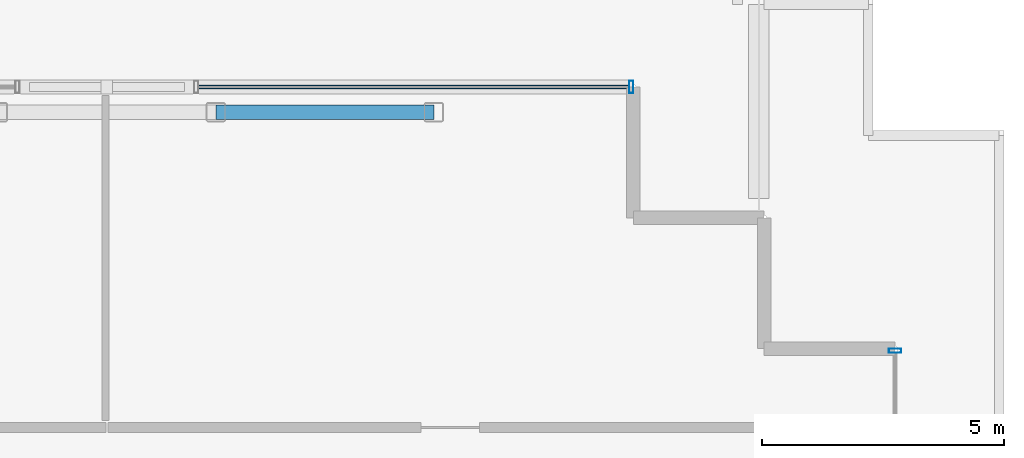
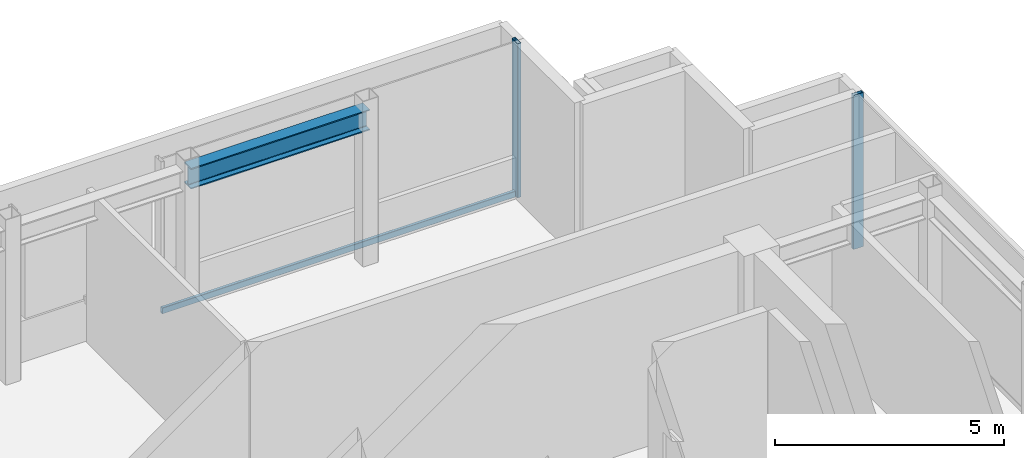
# One storey, part 7 of 14: 3 members, 1 beam, 2 elements without a shape of their own.
"""IFC4 building model written with IfcOpenShell, lengths in metres."""

import ifcopenshell
import ifcopenshell.guid

model = None  # the IFC model being written
_history = None  # IfcOwnerHistory: only IFC2X3 demands one
_inside = {}  # id of a spatial element -> (the spatial element, [elements in it])
_under = {}  # id of a project, library or spatial element -> (it, [spatial elements below it])
_declared = {}  # id of a project -> (the project, [libraries it declares])
_typed = {}  # id of a type object -> (the type object, [elements of that type])
_made_of = {}  # id of a material, layer set ... -> (it, [elements and type objects made of it])


def new_model(schema):
    """Start an empty IFC model of exactly this schema.

    Asked for "IFC4X3", IfcOpenShell would pick the latest addendum, in which some entities
    have other attributes; the version numbers below select the first issue.
    IFC2X3 requires an IfcOwnerHistory on every rooted entity: one is made here for all.
    """
    global model, _history
    if schema == "IFC4X3":
        model = ifcopenshell.file(schema_version=(4, 3, 0, 0))
    else:
        model = ifcopenshell.file(schema=schema)
    _inside.clear()
    _under.clear()
    _declared.clear()
    _typed.clear()
    _made_of.clear()
    _history = None
    if model.schema == "IFC2X3":
        org = make("IfcOrganization", Name="unknown")
        user = make(
            "IfcPersonAndOrganization",
            ThePerson=make("IfcPerson", FamilyName="unknown"),
            TheOrganization=org,
        )
        app = make(
            "IfcApplication",
            ApplicationDeveloper=org,
            Version="unknown",
            ApplicationFullName="unknown",
            ApplicationIdentifier="unknown",
        )
        _history = make(
            "IfcOwnerHistory",
            OwningUser=user,
            OwningApplication=app,
            ChangeAction="ADDED",
            CreationDate=0,
        )
    return model


def make(cls, **values):
    """One entity of the class cls with the attributes given. An attribute that is None is left unset."""
    return model.create_entity(
        cls, **{name: value for name, value in values.items() if value is not None}
    )


def rooted(cls, **values):
    """An entity with a GlobalId (a new one), such as an element, a storey or a relation."""
    return make(cls, GlobalId=ifcopenshell.guid.new(), OwnerHistory=_history, **values)


def si_unit(unit_type, name, prefix=None):
    """IfcSIUnit, for example si_unit("LENGTHUNIT", "METRE", prefix="MILLI")."""
    return make("IfcSIUnit", UnitType=unit_type, Prefix=prefix, Name=name)


def assignment(units):
    """IfcUnitAssignment: the units of a project."""
    return None if units is None else make("IfcUnitAssignment", Units=units)


def point(xyz):
    """IfcCartesianPoint."""
    return None if xyz is None else make("IfcCartesianPoint", Coordinates=xyz)


def direction(xyz):
    """IfcDirection."""
    return None if xyz is None else make("IfcDirection", DirectionRatios=xyz)


def frame(location, z_axis=None, x_axis=None):
    """IfcAxis2Placement3D, a coordinate frame: its origin and axes. An axis left out is left unset."""
    return make(
        "IfcAxis2Placement3D",
        Location=point(location),
        Axis=direction(z_axis),
        RefDirection=direction(x_axis),
    )


def frame_2d(location, x_axis=None):
    """IfcAxis2Placement2D, a coordinate frame in the plane: its origin and x axis."""
    return make(
        "IfcAxis2Placement2D", Location=point(location), RefDirection=direction(x_axis)
    )


def origin():
    """The frame at (0, 0, 0) with its axes left unset."""
    return frame((0.0, 0.0, 0.0))


def origin_2d():
    """The frame at (0, 0) in the plane with its x axis left unset."""
    return frame_2d((0.0, 0.0))


def place(relative_to, where):
    """IfcLocalPlacement: puts the frame where relative to a parent placement (None: the world)."""
    return make(
        "IfcLocalPlacement", PlacementRelTo=relative_to, RelativePlacement=where
    )


def context(
    kind, dimensions, precision=None, world=None, true_north=None, identifier=None
):
    """IfcGeometricRepresentationContext, for example the 3D "Model" context."""
    return make(
        "IfcGeometricRepresentationContext",
        ContextIdentifier=identifier,
        ContextType=kind,
        CoordinateSpaceDimension=dimensions,
        Precision=precision,
        WorldCoordinateSystem=world,
        TrueNorth=true_north,
    )


def subcontext(parent, identifier, kind, view, scale=None):
    """IfcGeometricRepresentationSubContext, for example "Body" below "Model"."""
    return make(
        "IfcGeometricRepresentationSubContext",
        ContextIdentifier=identifier,
        ContextType=kind,
        ParentContext=parent,
        TargetScale=scale,
        TargetView=view,
    )


def project(units=None, contexts=None):
    """IfcProject with its units and contexts."""
    return rooted(
        "IfcProject",
        Name="project",
        RepresentationContexts=contexts,
        UnitsInContext=assignment(units),
    )


def spatial(cls, under=None, at=None, **own):
    """A site, building, storey or space (cls), placed at a placement, below another one or the project."""
    s = rooted(cls, ObjectPlacement=at, **own)
    if under is not None:
        _under.setdefault(under.id(), (under, []))[1].append(s)
    return s


def profile(cls, at=None, kind="AREA", **sizes):
    """A parametric profile (cls). Its sizes go by their IFC names, for example OverallWidth=200.0."""
    return make(cls, ProfileType=kind, Position=at, **sizes)


def hollow_rectangle(**sizes):
    """IfcRectangleHollowProfileDef."""
    return profile("IfcRectangleHollowProfileDef", **sizes)


def i_section(**sizes):
    """IfcIShapeProfileDef."""
    return profile("IfcIShapeProfileDef", **sizes)


def extrude(swept, where, along, depth):
    """IfcExtrudedAreaSolid: the profile swept, set in the frame where, extruded along a direction by depth."""
    return make(
        "IfcExtrudedAreaSolid",
        SweptArea=swept,
        Position=where,
        ExtrudedDirection=direction(along),
        Depth=depth,
    )


def shape(context_of_items, identifier, shape_type, items):
    """IfcShapeRepresentation: the items that make up one representation, for example the "Body"."""
    return make(
        "IfcShapeRepresentation",
        ContextOfItems=context_of_items,
        RepresentationIdentifier=identifier,
        RepresentationType=shape_type,
        Items=items,
    )


def source(mapping_origin, context_of_items, identifier, shape_type, items):
    """IfcRepresentationMap: a shape defined once, which mapped items show again and again."""
    return make(
        "IfcRepresentationMap",
        MappingOrigin=mapping_origin,
        MappedRepresentation=shape(context_of_items, identifier, shape_type, items),
    )


def transform(
    local_origin,
    x_axis=None,
    y_axis=None,
    z_axis=None,
    scale=None,
    scale2=None,
    scale3=None,
    uniform=True,
):
    """IfcCartesianTransformationOperator3D, or its non-uniform kind. x_axis, y_axis, z_axis: its Axis1, 2, 3."""
    if uniform:
        return make(
            "IfcCartesianTransformationOperator3D",
            Axis1=direction(x_axis),
            Axis2=direction(y_axis),
            LocalOrigin=point(local_origin),
            Scale=scale,
            Axis3=direction(z_axis),
        )
    return make(
        "IfcCartesianTransformationOperator3DnonUniform",
        Axis1=direction(x_axis),
        Axis2=direction(y_axis),
        LocalOrigin=point(local_origin),
        Scale=scale,
        Axis3=direction(z_axis),
        Scale2=scale2,
        Scale3=scale3,
    )


def mapped(mapping_source, mapping_target):
    """IfcMappedItem: shows the shape of a source again, moved by a transform."""
    return make(
        "IfcMappedItem", MappingSource=mapping_source, MappingTarget=mapping_target
    )


def material(Name=None, Category=None):
    """IfcMaterial."""
    return make("IfcMaterial", Name=Name, Category=Category)


def layer(
    of_material, thickness, ventilated=None, Name=None, Category=None, Priority=None
):
    """IfcMaterialLayer: one layer of a wall or slab, of a material (None: an air gap)."""
    return make(
        "IfcMaterialLayer",
        Material=of_material,
        LayerThickness=thickness,
        IsVentilated=ventilated,
        Name=Name,
        Category=Category,
        Priority=Priority,
    )


def layer_set(layers, Name=None):
    """IfcMaterialLayerSet."""
    return make("IfcMaterialLayerSet", MaterialLayers=layers, LayerSetName=Name)


def material_profile(
    of_material, cross_section, Name=None, Category=None, Priority=None
):
    """IfcMaterialProfile: a cross section and its material."""
    return make(
        "IfcMaterialProfile",
        Name=Name,
        Material=of_material,
        Profile=cross_section,
        Priority=Priority,
        Category=Category,
    )


def profile_set(profiles, Name=None, composite=None):
    """IfcMaterialProfileSet."""
    return make(
        "IfcMaterialProfileSet",
        Name=Name,
        MaterialProfiles=profiles,
        CompositeProfile=composite,
    )


def made_of(thing, what):
    """Note that an element or type object is made of a material, layer set ...; save() writes the relation."""
    if what is not None:
        _made_of.setdefault(what.id(), (what, []))[1].append(thing)
    return thing


def type_object(cls, material=None, **own):
    """A type object (cls), such as IfcWallType, which elements share."""
    return made_of(rooted(cls, **own), material)


def element(
    cls,
    number,
    at=None,
    inside=None,
    cuts=None,
    type_object=None,
    material=None,
    context=None,
    identifier="Body",
    shape_type=None,
    held_by="IfcProductDefinitionShape",
    body=None,
    shapes=None,
    **own,
):
    """One element of the class cls, such as IfcWall. Its Tag is "e" and its number.

    at: its placement. inside: the storey or other place that contains it. cuts: it is an
    opening in that element (IfcRelVoidsElement). A single representation is given by context,
    identifier, shape_type and body (its items); several are given by shapes. held_by: the class
    of the entity that holds the representations. save() writes the other relations.
    """
    e = rooted(cls, Tag="e%d" % number, ObjectPlacement=at, **own)
    if body is not None:
        shapes = [shape(context, identifier, shape_type, body)]
    if shapes is not None:
        e.Representation = make(held_by, Representations=shapes)
    if inside is not None:
        _inside.setdefault(inside.id(), (inside, []))[1].append(e)
    if cuts is not None:
        rooted(
            "IfcRelVoidsElement", RelatingBuildingElement=cuts, RelatedOpeningElement=e
        )
    if type_object is not None:
        _typed.setdefault(type_object.id(), (type_object, []))[1].append(e)
    return made_of(e, material)


def aggregate(whole, parts):
    """IfcRelAggregates: a whole, such as a stair, and the parts it consists of."""
    return rooted("IfcRelAggregates", RelatingObject=whole, RelatedObjects=parts)


def save(model, path):
    """Write the relations noted so far, then the file.

    IfcRelAggregates (storeys below a building ...), IfcRelContainedInSpatialStructure (elements
    in a storey), IfcRelDefinesByType, IfcRelAssociatesMaterial and IfcRelDeclares: one each for
    every whole, place, type object, material and project.
    """
    for whole, parts in _under.values():
        aggregate(whole, parts)
    for where, things in _inside.values():
        rooted(
            "IfcRelContainedInSpatialStructure",
            RelatedElements=things,
            RelatingStructure=where,
        )
    for kind, things in _typed.values():
        rooted("IfcRelDefinesByType", RelatedObjects=things, RelatingType=kind)
    for what, things in _made_of.values():
        rooted("IfcRelAssociatesMaterial", RelatedObjects=things, RelatingMaterial=what)
    for by, libraries in _declared.values():
        rooted("IfcRelDeclares", RelatingContext=by, RelatedDefinitions=libraries)
    model.write(path)


model = new_model("IFC4")

# Units and contexts
model_context = context("Model", 3, precision=1e-05, world=origin(), true_north=direction((0.0, 1.0)))
body_context = subcontext(model_context, "Body", "Model", "MODEL_VIEW")
ifc_project = project(units=[si_unit("LENGTHUNIT", "METRE"), si_unit("AREAUNIT", "SQUARE_METRE"), si_unit("VOLUMEUNIT", "CUBIC_METRE"), si_unit("PLANEANGLEUNIT", "RADIAN"), si_unit("MASSUNIT", "GRAM", prefix="KILO")], contexts=[model_context])

# Site, building, storey
site_placement = place(None, origin())
site = spatial("IfcSite", under=ifc_project, at=site_placement, CompositionType="ELEMENT")
building_placement = place(site_placement, origin())
building = spatial("IfcBuilding", under=site, at=building_placement, Name="Nefas-Gora Pilgrimage Tower", CompositionType="ELEMENT")
storey_placement = place(building_placement, frame((0.0, 0.0, 358.60009765625)))
storey = spatial("IfcBuildingStorey", under=building, at=storey_placement, Name="L90", CompositionType="ELEMENT", Elevation=358.60009765625)

# Beam
ifc_material_1 = material(Name="Steel S355", Category="steel")
ifc_material_profile_1 = material_profile(ifc_material_1, i_section(OverallWidth=0.300048828125, OverallDepth=0.550048828125, WebThickness=0.014892578125, FlangeThickness=0.029052734375, FilletRadius=0.027099609375, at=origin_2d()), Name="HEB 550")
ifc_profile_set_1 = profile_set([ifc_material_profile_1], Name="Steel S355")
beam_type = type_object("IfcBeamType", Name="BM-SPN-HEB400", PredefinedType="SPANDREL", material=ifc_profile_set_1)
shared_shape_1 = source(origin(), body_context, "Body", "SweptSolid", [
    extrude(i_section(OverallWidth=0.300048828125, OverallDepth=0.550048828125, WebThickness=0.014892578125, FlangeThickness=0.029052734375, FilletRadius=0.027099609375, at=origin_2d()), origin(), (0.0, 0.0, 1.0), 4.5),
])
beam_placement = place(storey_placement, frame((2.25, 18.0, 3.824951171875), z_axis=(1.0, 0.0, 0.0), x_axis=(0.0, 1.0, 0.0)))
element("IfcBeam", 1, at=beam_placement, inside=storey, type_object=beam_type, Name="L90 SP-04 beam", PredefinedType="SPANDREL", context=body_context, shape_type="MappedRepresentation", body=[
    mapped(shared_shape_1, transform((0.0, 0.0, 0.0), x_axis=(1.0, 0.0, 0.0), y_axis=(0.0, 1.0, 0.0), z_axis=(0.0, 0.0, 1.0), scale=1.0)),
])

# Curtain wall, member
ifc_material_2 = material(Name="Dark ceramic-fritted solar-control aluminium-glass curtain wall", Category="aluminium")
ifc_layer = layer(ifc_material_2, 0.219970703125)
ifc_layer_set = layer_set([ifc_layer], Name="Dark ceramic-fritted solar-control aluminium-glass curtain wall")
curtain_wall_type = type_object("IfcCurtainWallType", Name="CW-SYS-6", PredefinedType="NOTDEFINED", material=ifc_layer_set)
curtain_wall_1_placement = place(storey_placement, origin())
curtain_wall_1 = element("IfcCurtainWall", 2, at=curtain_wall_1_placement, inside=storey, type_object=curtain_wall_type, Name="L90 Unitised Curtain Wall CW6", PredefinedType="NOTDEFINED")
ifc_material_3 = material(Name="Anodised architectural aluminium", Category="aluminium")
ifc_material_profile_2 = material_profile(ifc_material_3, hollow_rectangle(XDim=0.090087890625, YDim=0.260009765625, WallThickness=0.006103515625, InnerFilletRadius=0.006103515625, OuterFilletRadius=0.011962890625, at=origin_2d()), Name="ALU MULLION 90x260")
ifc_profile_set_2 = profile_set([ifc_material_profile_2], Name="Anodised architectural aluminium")
member_type_1 = type_object("IfcMemberType", Name="CWM-MUL-6", PredefinedType="MULLION", material=ifc_profile_set_2)
shared_shape_2 = source(origin(), body_context, "Body", "SweptSolid", [
    extrude(hollow_rectangle(XDim=0.090087890625, YDim=0.260009765625, WallThickness=0.006103515625, InnerFilletRadius=0.006103515625, OuterFilletRadius=0.011962890625, at=origin_2d()), origin(), (0.0, 0.0, 1.0), 4.099853515625),
])
member_1_placement = place(storey_placement, frame((10.824951171875, 18.52001953125, 0.0), z_axis=(0.0, 0.0, 1.0), x_axis=(-1.0, 0.0, 0.0)))
member_1 = element("IfcMember", 3, at=member_1_placement, type_object=member_type_1, Name="CW6 Mullion 1", PredefinedType="MULLION", context=body_context, shape_type="MappedRepresentation", body=[
    mapped(shared_shape_2, transform((0.0, 0.0, 0.0), x_axis=(1.0, 0.0, 0.0), y_axis=(0.0, 1.0, 0.0), z_axis=(0.0, 0.0, 1.0), scale=1.0)),
])

curtain_wall_2_placement = place(storey_placement, origin())
curtain_wall_2 = element("IfcCurtainWall", 4, at=curtain_wall_2_placement, inside=storey, type_object=curtain_wall_type, Name="L90 Unitised Curtain Wall CW6", PredefinedType="NOTDEFINED")
member_2_placement = place(storey_placement, frame((16.27001953125, 13.074951171875, 0.0), z_axis=(0.0, 0.0, 1.0), x_axis=(0.0, 1.0, 0.0)))
member_2 = element("IfcMember", 5, at=member_2_placement, type_object=member_type_1, Name="CW6 Mullion 2", PredefinedType="MULLION", context=body_context, shape_type="MappedRepresentation", body=[
    mapped(shared_shape_2, transform((0.0, 0.0, 0.0), x_axis=(1.0, 0.0, 0.0), y_axis=(0.0, 1.0, 0.0), z_axis=(0.0, 0.0, 1.0), scale=1.0)),
])
aggregate(curtain_wall_2, [member_2])

# Member
ifc_material_profile_3 = material_profile(ifc_material_3, hollow_rectangle(XDim=0.080078125, YDim=0.159912109375, WallThickness=0.00439453125, InnerFilletRadius=0.00439453125, OuterFilletRadius=0.009033203125, at=origin_2d()), Name="ALU TRANSOM 80x160")
ifc_profile_set_3 = profile_set([ifc_material_profile_3], Name="Anodised architectural aluminium")
member_type_2 = type_object("IfcMemberType", Name="CWM-TRN-6", PredefinedType="USERDEFINED", material=ifc_profile_set_3)
shared_shape_3 = source(origin(), body_context, "Body", "SweptSolid", [
    extrude(hollow_rectangle(XDim=0.080078125, YDim=0.159912109375, WallThickness=0.00439453125, InnerFilletRadius=0.00439453125, OuterFilletRadius=0.009033203125, at=origin_2d()), origin(), (0.0, 0.0, 1.0), 8.89013671875),
])
member_3_placement = place(storey_placement, frame((10.780029296875, 18.52001953125, 0.0498046875), z_axis=(-1.0, 0.0, 0.0), x_axis=(0.0, -1.0, 0.0)))
member_3 = element("IfcMember", 6, at=member_3_placement, type_object=member_type_2, Name="CW6 Spandrel Transom", ObjectType="TRANSOM", PredefinedType="USERDEFINED", context=body_context, shape_type="MappedRepresentation", body=[
    mapped(shared_shape_3, transform((0.0, 0.0, 0.0), x_axis=(1.0, 0.0, 0.0), y_axis=(0.0, 1.0, 0.0), z_axis=(0.0, 0.0, 1.0), scale=1.0)),
])

aggregate(curtain_wall_1, [member_1, member_3])

save(model, "model.ifc")
